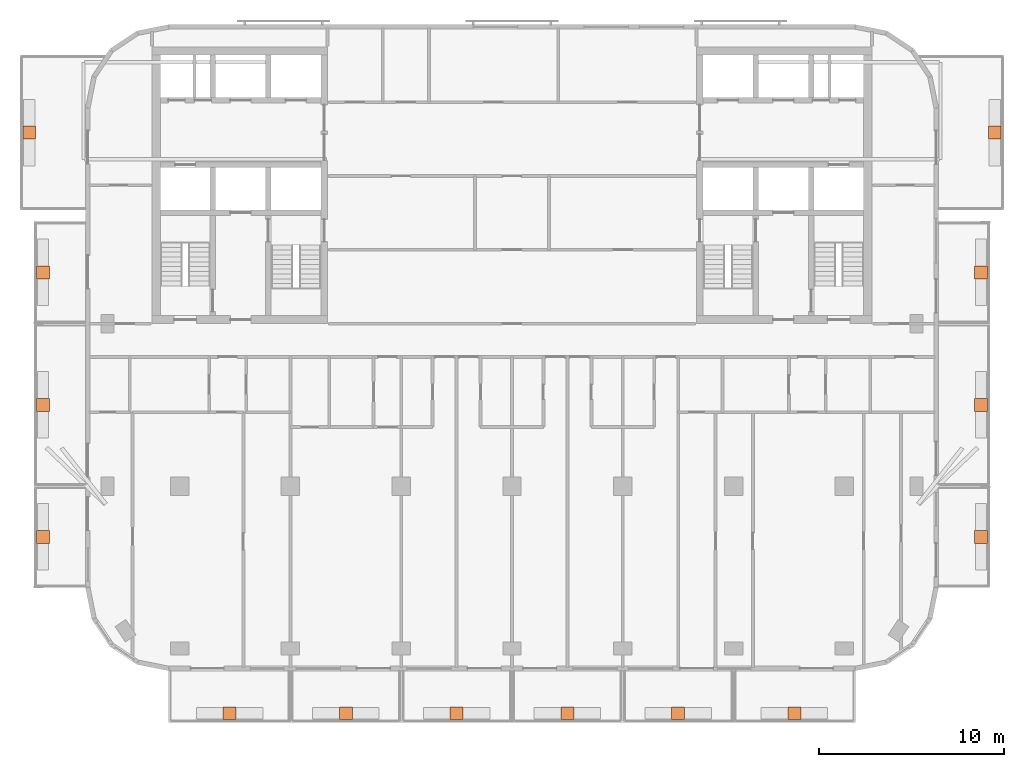
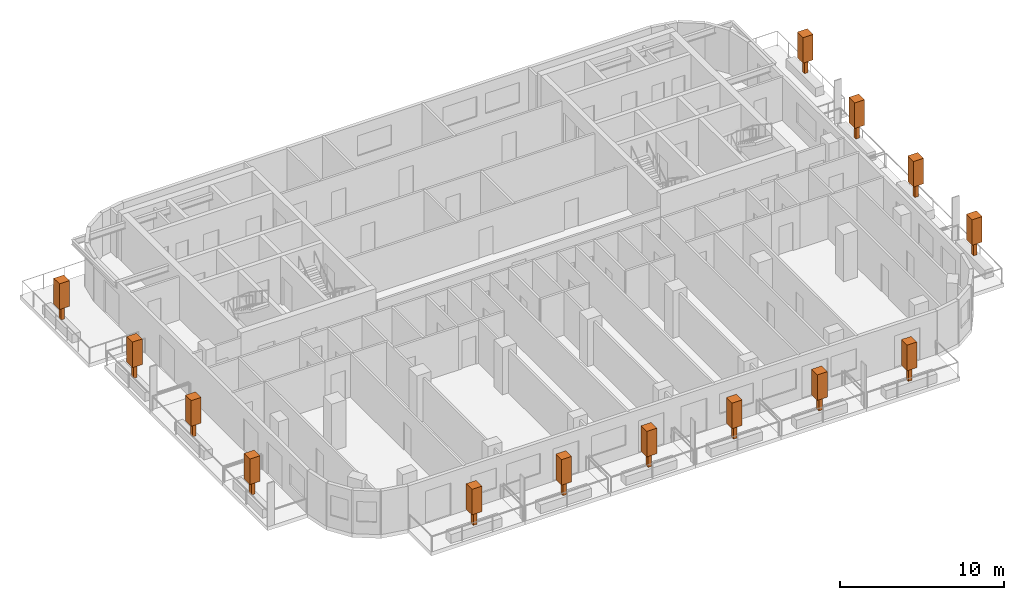
# One storey, part 11 of 11: 14 geographic elements.
"""IFC4 building model written with IfcOpenShell, lengths in metres."""

import ifcopenshell
import ifcopenshell.guid

model = None  # the IFC model being written
_history = None  # IfcOwnerHistory: only IFC2X3 demands one
_inside = {}  # id of a spatial element -> (the spatial element, [elements in it])
_under = {}  # id of a project, library or spatial element -> (it, [spatial elements below it])
_declared = {}  # id of a project -> (the project, [libraries it declares])
_typed = {}  # id of a type object -> (the type object, [elements of that type])
_made_of = {}  # id of a material, layer set ... -> (it, [elements and type objects made of it])


def new_model(schema):
    """Start an empty IFC model of exactly this schema.

    Asked for "IFC4X3", IfcOpenShell would pick the latest addendum, in which some entities
    have other attributes; the version numbers below select the first issue.
    IFC2X3 requires an IfcOwnerHistory on every rooted entity: one is made here for all.
    """
    global model, _history
    if schema == "IFC4X3":
        model = ifcopenshell.file(schema_version=(4, 3, 0, 0))
    else:
        model = ifcopenshell.file(schema=schema)
    _inside.clear()
    _under.clear()
    _declared.clear()
    _typed.clear()
    _made_of.clear()
    _history = None
    if model.schema == "IFC2X3":
        org = make("IfcOrganization", Name="unknown")
        user = make(
            "IfcPersonAndOrganization",
            ThePerson=make("IfcPerson", FamilyName="unknown"),
            TheOrganization=org,
        )
        app = make(
            "IfcApplication",
            ApplicationDeveloper=org,
            Version="unknown",
            ApplicationFullName="unknown",
            ApplicationIdentifier="unknown",
        )
        _history = make(
            "IfcOwnerHistory",
            OwningUser=user,
            OwningApplication=app,
            ChangeAction="ADDED",
            CreationDate=0,
        )
    return model


def make(cls, **values):
    """One entity of the class cls with the attributes given. An attribute that is None is left unset."""
    return model.create_entity(
        cls, **{name: value for name, value in values.items() if value is not None}
    )


def rooted(cls, **values):
    """An entity with a GlobalId (a new one), such as an element, a storey or a relation."""
    return make(cls, GlobalId=ifcopenshell.guid.new(), OwnerHistory=_history, **values)


def si_unit(unit_type, name, prefix=None):
    """IfcSIUnit, for example si_unit("LENGTHUNIT", "METRE", prefix="MILLI")."""
    return make("IfcSIUnit", UnitType=unit_type, Prefix=prefix, Name=name)


def assignment(units):
    """IfcUnitAssignment: the units of a project."""
    return None if units is None else make("IfcUnitAssignment", Units=units)


def point(xyz):
    """IfcCartesianPoint."""
    return None if xyz is None else make("IfcCartesianPoint", Coordinates=xyz)


def direction(xyz):
    """IfcDirection."""
    return None if xyz is None else make("IfcDirection", DirectionRatios=xyz)


def frame(location, z_axis=None, x_axis=None):
    """IfcAxis2Placement3D, a coordinate frame: its origin and axes. An axis left out is left unset."""
    return make(
        "IfcAxis2Placement3D",
        Location=point(location),
        Axis=direction(z_axis),
        RefDirection=direction(x_axis),
    )


def frame_2d(location, x_axis=None):
    """IfcAxis2Placement2D, a coordinate frame in the plane: its origin and x axis."""
    return make(
        "IfcAxis2Placement2D", Location=point(location), RefDirection=direction(x_axis)
    )


def origin():
    """The frame at (0, 0, 0) with its axes left unset."""
    return frame((0.0, 0.0, 0.0))


def origin_2d():
    """The frame at (0, 0) in the plane with its x axis left unset."""
    return frame_2d((0.0, 0.0))


def place(relative_to, where):
    """IfcLocalPlacement: puts the frame where relative to a parent placement (None: the world)."""
    return make(
        "IfcLocalPlacement", PlacementRelTo=relative_to, RelativePlacement=where
    )


def context(
    kind, dimensions, precision=None, world=None, true_north=None, identifier=None
):
    """IfcGeometricRepresentationContext, for example the 3D "Model" context."""
    return make(
        "IfcGeometricRepresentationContext",
        ContextIdentifier=identifier,
        ContextType=kind,
        CoordinateSpaceDimension=dimensions,
        Precision=precision,
        WorldCoordinateSystem=world,
        TrueNorth=true_north,
    )


def subcontext(parent, identifier, kind, view, scale=None):
    """IfcGeometricRepresentationSubContext, for example "Body" below "Model"."""
    return make(
        "IfcGeometricRepresentationSubContext",
        ContextIdentifier=identifier,
        ContextType=kind,
        ParentContext=parent,
        TargetScale=scale,
        TargetView=view,
    )


def project(units=None, contexts=None):
    """IfcProject with its units and contexts."""
    return rooted(
        "IfcProject",
        Name="project",
        RepresentationContexts=contexts,
        UnitsInContext=assignment(units),
    )


def spatial(cls, under=None, at=None, **own):
    """A site, building, storey or space (cls), placed at a placement, below another one or the project."""
    s = rooted(cls, ObjectPlacement=at, **own)
    if under is not None:
        _under.setdefault(under.id(), (under, []))[1].append(s)
    return s


def profile(cls, at=None, kind="AREA", **sizes):
    """A parametric profile (cls). Its sizes go by their IFC names, for example OverallWidth=200.0."""
    return make(cls, ProfileType=kind, Position=at, **sizes)


def rectangle(**sizes):
    """IfcRectangleProfileDef."""
    return profile("IfcRectangleProfileDef", **sizes)


def extrude(swept, where, along, depth):
    """IfcExtrudedAreaSolid: the profile swept, set in the frame where, extruded along a direction by depth."""
    return make(
        "IfcExtrudedAreaSolid",
        SweptArea=swept,
        Position=where,
        ExtrudedDirection=direction(along),
        Depth=depth,
    )


def shape(context_of_items, identifier, shape_type, items):
    """IfcShapeRepresentation: the items that make up one representation, for example the "Body"."""
    return make(
        "IfcShapeRepresentation",
        ContextOfItems=context_of_items,
        RepresentationIdentifier=identifier,
        RepresentationType=shape_type,
        Items=items,
    )


def material(Name=None, Category=None):
    """IfcMaterial."""
    return make("IfcMaterial", Name=Name, Category=Category)


def made_of(thing, what):
    """Note that an element or type object is made of a material, layer set ...; save() writes the relation."""
    if what is not None:
        _made_of.setdefault(what.id(), (what, []))[1].append(thing)
    return thing


def element(
    cls,
    number,
    at=None,
    inside=None,
    cuts=None,
    type_object=None,
    material=None,
    context=None,
    identifier="Body",
    shape_type=None,
    held_by="IfcProductDefinitionShape",
    body=None,
    shapes=None,
    **own,
):
    """One element of the class cls, such as IfcWall. Its Tag is "e" and its number.

    at: its placement. inside: the storey or other place that contains it. cuts: it is an
    opening in that element (IfcRelVoidsElement). A single representation is given by context,
    identifier, shape_type and body (its items); several are given by shapes. held_by: the class
    of the entity that holds the representations. save() writes the other relations.
    """
    e = rooted(cls, Tag="e%d" % number, ObjectPlacement=at, **own)
    if body is not None:
        shapes = [shape(context, identifier, shape_type, body)]
    if shapes is not None:
        e.Representation = make(held_by, Representations=shapes)
    if inside is not None:
        _inside.setdefault(inside.id(), (inside, []))[1].append(e)
    if cuts is not None:
        rooted(
            "IfcRelVoidsElement", RelatingBuildingElement=cuts, RelatedOpeningElement=e
        )
    if type_object is not None:
        _typed.setdefault(type_object.id(), (type_object, []))[1].append(e)
    return made_of(e, material)


def aggregate(whole, parts):
    """IfcRelAggregates: a whole, such as a stair, and the parts it consists of."""
    return rooted("IfcRelAggregates", RelatingObject=whole, RelatedObjects=parts)


def save(model, path):
    """Write the relations noted so far, then the file.

    IfcRelAggregates (storeys below a building ...), IfcRelContainedInSpatialStructure (elements
    in a storey), IfcRelDefinesByType, IfcRelAssociatesMaterial and IfcRelDeclares: one each for
    every whole, place, type object, material and project.
    """
    for whole, parts in _under.values():
        aggregate(whole, parts)
    for where, things in _inside.values():
        rooted(
            "IfcRelContainedInSpatialStructure",
            RelatedElements=things,
            RelatingStructure=where,
        )
    for kind, things in _typed.values():
        rooted("IfcRelDefinesByType", RelatedObjects=things, RelatingType=kind)
    for what, things in _made_of.values():
        rooted("IfcRelAssociatesMaterial", RelatedObjects=things, RelatingMaterial=what)
    for by, libraries in _declared.values():
        rooted("IfcRelDeclares", RelatingContext=by, RelatedDefinitions=libraries)
    model.write(path)


model = new_model("IFC4")

# Units and contexts
model_context = context("Model", 3, precision=1e-05, world=origin(), true_north=direction((0.0, 1.0)))
body_context = subcontext(model_context, "Body", "Model", "MODEL_VIEW")
ifc_project = project(units=[si_unit("LENGTHUNIT", "METRE"), si_unit("AREAUNIT", "SQUARE_METRE"), si_unit("VOLUMEUNIT", "CUBIC_METRE"), si_unit("PLANEANGLEUNIT", "RADIAN"), si_unit("MASSUNIT", "GRAM", prefix="KILO")], contexts=[model_context])

# Site, building, storey
site_placement = place(None, origin())
site = spatial("IfcSite", under=ifc_project, at=site_placement, CompositionType="ELEMENT")
building_placement = place(site_placement, origin())
building = spatial("IfcBuilding", under=site, at=building_placement, Name="Torana Hotel and Residences", CompositionType="ELEMENT")
storey_placement = place(building_placement, frame((0.0, 0.0, 252.60009765625)))
storey = spatial("IfcBuildingStorey", under=building, at=storey_placement, Name="L66", CompositionType="ELEMENT", Elevation=252.60009765625)

# Geographic elements
ifc_material = material(Name="Foliage", Category="planting")
for number, where, z_axis, x_axis, name in (
    (1, (-15.300048828125, -36.10009765625, 0.64990234375), (0.0, 0.0, 1.0), (1.0, 0.0, 0.0), "Tree 01"),
    (2, (-9.0, -36.10009765625, 0.64990234375), (0.0, 0.0, 1.0), (1.0, 0.0, 0.0), "Tree 02"),
    (3, (-3.0, -36.10009765625, 0.64990234375), (0.0, 0.0, 1.0), (1.0, 0.0, 0.0), "Tree 03"),
    (4, (3.0, -36.10009765625, 0.64990234375), (0.0, 0.0, 1.0), (1.0, 0.0, 0.0), "Tree 04"),
    (5, (9.0, -36.10009765625, 0.64990234375), (0.0, 0.0, 1.0), (1.0, 0.0, 0.0), "Tree 05"),
    (6, (15.300048828125, -36.10009765625, 0.64990234375), (0.0, 0.0, 1.0), (1.0, 0.0, 0.0), "Tree 06"),
    (7, (-25.39990234375, -26.550048828125, 0.64990234375), (0.0, 0.0, 1.0), (1.0, 0.0, 0.0), "Tree 07"),
    (8, (-25.39990234375, -19.39990234375, 0.64990234375), (0.0, 0.0, 1.0), (1.0, 0.0, 0.0), "Tree 08"),
    (9, (-25.39990234375, -12.22509765625, 0.64990234375), (0.0, 0.0, 1.0), (1.0, 0.0, 0.0), "Tree 09"),
    (10, (-26.14990234375, -4.64990234375, 0.64990234375), (0.0, 0.0, 1.0), (1.0, 0.0, 0.0), "Tree 10"),
    (11, (25.39990234375, -26.550048828125, 0.64990234375), (0.0, 0.0, 1.0), (1.0, 0.0, 0.0), "Tree 11"),
    (12, (25.39990234375, -19.39990234375, 0.64990234375), (0.0, 0.0, 1.0), (1.0, 0.0, 0.0), "Tree 12"),
    (13, (25.39990234375, -12.22509765625, 0.64990234375), (0.0, 0.0, 1.0), (1.0, 0.0, 0.0), "Tree 13"),
    (14, (26.14990234375, -4.64990234375, 0.64990234375), (0.0, 0.0, 1.0), (1.0, 0.0, 0.0), "Tree 14"),
):
    element("IfcGeographicElement", number, at=place(storey_placement, frame(where, z_axis=z_axis, x_axis=x_axis)), inside=storey, material=ifc_material, Name=name, ObjectType="TREE", PredefinedType="USERDEFINED", context=body_context, shape_type="SweptSolid", body=[
        extrude(rectangle(XDim=0.25, YDim=0.25, at=origin_2d()), origin(), (0.0, 0.0, 1.0), 1.0),
        extrude(rectangle(XDim=0.699951171875, YDim=0.699951171875, at=origin_2d()), frame((0.0, 0.0, 1.0)), (0.0, 0.0, 1.0), 1.89990234375),
    ])

save(model, "model.ifc")
